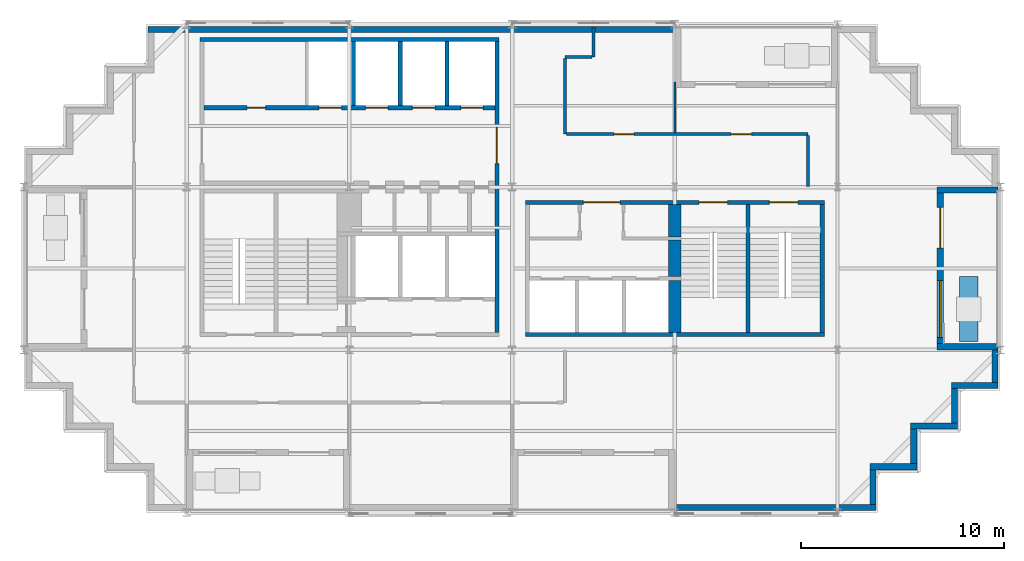
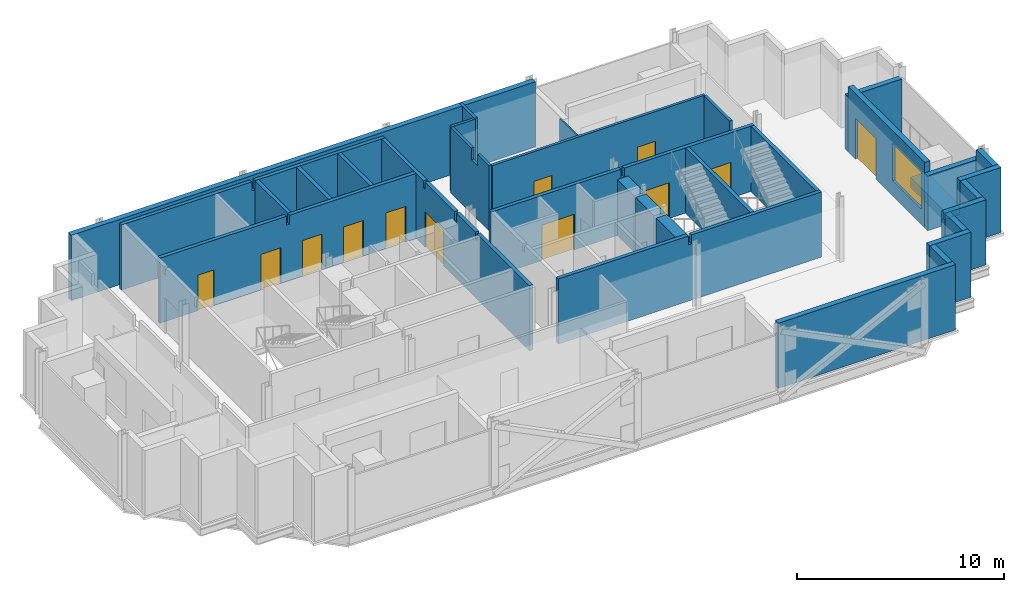
# One storey, part 6 of 9: 32 walls, 12 doors, 1 window, 13 openings.
"""IFC4 building model written with IfcOpenShell, lengths in metres."""

from ifc_helpers import new_model, si_unit, direction, frame, frame_2d, origin, place, context, subcontext, project, spatial, polyline, rectangle, outline, extrude, material, layer, layer_set, type_object, element, fill, save


model = new_model("IFC4")

# Units and contexts
model_context = context("Model", 3, precision=1e-05, world=origin(), true_north=direction((0.0, 1.0)))
body_context = subcontext(model_context, "Body", "Model", "MODEL_VIEW")
ifc_project = project(units=[si_unit("LENGTHUNIT", "METRE"), si_unit("AREAUNIT", "SQUARE_METRE"), si_unit("VOLUMEUNIT", "CUBIC_METRE"), si_unit("PLANEANGLEUNIT", "RADIAN"), si_unit("MASSUNIT", "GRAM", prefix="KILO")], contexts=[model_context])

# Site, building, storey
site_placement = place(None, origin())
site = spatial("IfcSite", under=ifc_project, at=site_placement, CompositionType="ELEMENT")
building_placement = place(site_placement, origin())
building = spatial("IfcBuilding", under=site, at=building_placement, Name="Immortelle Media Tower", CompositionType="ELEMENT")
storey_placement = place(building_placement, frame((0.0, 0.0, 271.0)))
storey = spatial("IfcBuildingStorey", under=building, at=storey_placement, Name="L59", CompositionType="ELEMENT", Elevation=271.0)

# Wall
ifc_material_1 = material(Name="Fire-rated gypsum board", Category="gypsum")
ifc_layer_1 = layer(ifc_material_1, 0.03759765625)
ifc_material_2 = material(Name="Steel ASTM A653 SS Gr 50 stud frame with mineral wool", Category="steel")
ifc_layer_2 = layer(ifc_material_2, 0.125)
ifc_layer_3 = layer(ifc_material_1, 0.03759765625)
ifc_layer_set_1 = layer_set([ifc_layer_1, ifc_layer_2, ifc_layer_3], Name="Steel ASTM A653 SS Gr 50 stud frame with mineral wool")
wall_type_1 = type_object("IfcWallType", Name="Core shaft wall 200", PredefinedType="PARTITIONING", material=ifc_layer_set_1)
wall_1_placement = place(storey_placement, frame((8.64990234375, 23.25, 0.0), z_axis=(0.0, 0.0, 1.0), x_axis=(1.0, 0.0, 0.0)))
element("IfcWall", 1, at=wall_1_placement, inside=storey, type_object=wall_type_1, Name="Core shaft wall SW", PredefinedType="PARTITIONING", context=body_context, shape_type="SweptSolid", body=[
    extrude(outline(polyline([(0.0, 0.0), (14.7001953125, 0.0), (14.699951171875, 3.85009765625), (7.4375, 3.85009765625), (7.4365234375, 3.318115234375), (7.263427734375, 3.318115234375), (7.262451171875, 3.85009765625), (0.0, 3.85009765625), (0.0, 0.0)])), frame((0.0, 0.10009765625, 0.0), z_axis=(0.0, -1.0, 0.0), x_axis=(1.0, 0.0, 0.0)), (0.0, 0.0, 1.0), 0.199951171875),
])

# Wall, openings, doors
wall_2_placement = place(storey_placement, frame((8.85009765625, 19.89990234375, 0.0), z_axis=(0.0, 0.0, 1.0), x_axis=(1.0, 0.0, 0.0)))
wall_2 = element("IfcWall", 2, at=wall_2_placement, inside=storey, type_object=wall_type_1, Name="Core shaft wall SW", PredefinedType="PARTITIONING", context=body_context, shape_type="SweptSolid", body=[
    extrude(outline(polyline([(0.0, 0.0), (14.2998046875, 0.0), (14.300048828125, 3.85009765625), (7.237548828125, 3.85009765625), (7.236572265625, 3.318115234375), (7.0634765625, 3.318115234375), (7.0625, 3.85009765625), (0.0, 3.85009765625), (0.0, 0.0)])), frame((0.0, 0.10009765625, 0.0), z_axis=(0.0, -1.0, 0.0), x_axis=(1.0, 0.0, 0.0)), (0.0, 0.0, 1.0), 0.199951171875),
])
opening_1_placement = place(wall_2_placement, frame((2.125, 0.0, 0.0)))
opening_1 = element("IfcOpeningElement", 3, at=opening_1_placement, cuts=wall_2, Name="Opening X3-K003", PredefinedType="OPENING", context=body_context, shape_type="SweptSolid", body=[
    extrude(rectangle(XDim=0.89990234375, YDim=2.10009765625, at=frame_2d((0.449951171875, 1.050048828125))), frame((0.0, 0.10986328125, 0.0), z_axis=(0.0, -1.0, 0.0), x_axis=(1.0, 0.0, 0.0)), (0.0, 0.0, 1.0), 0.219970703125),
])
opening_2_placement = place(wall_2_placement, frame((5.64990234375, 0.0, 0.0)))
opening_2 = element("IfcOpeningElement", 4, at=opening_2_placement, cuts=wall_2, Name="Opening LD", PredefinedType="OPENING", context=body_context, shape_type="SweptSolid", body=[
    extrude(rectangle(XDim=1.10009765625, YDim=2.10009765625, at=frame_2d((0.550048828125, 1.050048828125))), frame((0.0, 0.10986328125, 0.0), z_axis=(0.0, -1.0, 0.0), x_axis=(1.0, 0.0, 0.0)), (0.0, 0.0, 1.0), 0.219970703125),
])
opening_3_placement = place(wall_2_placement, frame((7.949951171875, 0.0, 0.0)))
opening_3 = element("IfcOpeningElement", 5, at=opening_3_placement, cuts=wall_2, Name="Opening LD", PredefinedType="OPENING", context=body_context, shape_type="SweptSolid", body=[
    extrude(rectangle(XDim=1.10009765625, YDim=2.10009765625, at=frame_2d((0.550048828125, 1.050048828125))), frame((0.0, 0.10986328125, 0.0), z_axis=(0.0, -1.0, 0.0), x_axis=(1.0, 0.0, 0.0)), (0.0, 0.0, 1.0), 0.219970703125),
])
opening_4_placement = place(wall_2_placement, frame((10.25, 0.0, 0.0)))
opening_4 = element("IfcOpeningElement", 6, at=opening_4_placement, cuts=wall_2, Name="Opening LD", PredefinedType="OPENING", context=body_context, shape_type="SweptSolid", body=[
    extrude(rectangle(XDim=1.10009765625, YDim=2.10009765625, at=frame_2d((0.550048828125, 1.050048828125))), frame((0.0, 0.10986328125, 0.0), z_axis=(0.0, -1.0, 0.0), x_axis=(1.0, 0.0, 0.0)), (0.0, 0.0, 1.0), 0.219970703125),
])
opening_5_placement = place(wall_2_placement, frame((12.625, 0.0, 0.0)))
opening_5 = element("IfcOpeningElement", 7, at=opening_5_placement, cuts=wall_2, Name="Opening LD", PredefinedType="OPENING", context=body_context, shape_type="SweptSolid", body=[
    extrude(rectangle(XDim=1.10009765625, YDim=2.10009765625, at=frame_2d((0.550048828125, 1.050048828125))), frame((0.0, 0.10986328125, 0.0), z_axis=(0.0, -1.0, 0.0), x_axis=(1.0, 0.0, 0.0)), (0.0, 0.0, 1.0), 0.219970703125),
])
ifc_material_3 = material(Name="Stainless steel AISI 304", Category="steel")
door_type_1 = type_object("IfcDoorType", Name="Landing door 1100 x 2100", OperationType="SLIDING_TO_LEFT", PredefinedType="NOTDEFINED", material=ifc_material_3)
door_1_placement = place(opening_2_placement, origin())
door_1 = element("IfcDoor", 8, at=door_1_placement, inside=storey, type_object=door_type_1, Name="Landing door HR1 L59", OperationType="SLIDING_TO_LEFT", OverallHeight=2.10009765625, OverallWidth=1.10009765625, PredefinedType="NOTDEFINED", context=body_context, shape_type="SweptSolid", body=[
    extrude(rectangle(XDim=1.10009765625, YDim=2.10009765625, at=frame_2d((0.550048828125, 1.050048828125))), frame((0.0, 0.02490234375, 0.0), z_axis=(0.0, -1.0, 0.0), x_axis=(1.0, 0.0, 0.0)), (0.0, 0.0, 1.0), 0.050048828125),
])
fill(opening_2, door_1)
door_2_placement = place(opening_3_placement, origin())
door_2 = element("IfcDoor", 9, at=door_2_placement, inside=storey, type_object=door_type_1, Name="Landing door HR2 L59", OperationType="SLIDING_TO_LEFT", OverallHeight=2.10009765625, OverallWidth=1.10009765625, PredefinedType="NOTDEFINED", context=body_context, shape_type="SweptSolid", body=[
    extrude(rectangle(XDim=1.10009765625, YDim=2.10009765625, at=frame_2d((0.550048828125, 1.050048828125))), frame((0.0, 0.02490234375, 0.0), z_axis=(0.0, -1.0, 0.0), x_axis=(1.0, 0.0, 0.0)), (0.0, 0.0, 1.0), 0.050048828125),
])
fill(opening_3, door_2)
door_3_placement = place(opening_4_placement, origin())
door_3 = element("IfcDoor", 10, at=door_3_placement, inside=storey, type_object=door_type_1, Name="Landing door HR3 L59", OperationType="SLIDING_TO_LEFT", OverallHeight=2.10009765625, OverallWidth=1.10009765625, PredefinedType="NOTDEFINED", context=body_context, shape_type="SweptSolid", body=[
    extrude(rectangle(XDim=1.10009765625, YDim=2.10009765625, at=frame_2d((0.550048828125, 1.050048828125))), frame((0.0, 0.02490234375, 0.0), z_axis=(0.0, -1.0, 0.0), x_axis=(1.0, 0.0, 0.0)), (0.0, 0.0, 1.0), 0.050048828125),
])
fill(opening_4, door_3)
door_4_placement = place(opening_5_placement, origin())
door_4 = element("IfcDoor", 11, at=door_4_placement, inside=storey, type_object=door_type_1, Name="Landing door HR4 L59", OperationType="SLIDING_TO_LEFT", OverallHeight=2.10009765625, OverallWidth=1.10009765625, PredefinedType="NOTDEFINED", context=body_context, shape_type="SweptSolid", body=[
    extrude(rectangle(XDim=1.10009765625, YDim=2.10009765625, at=frame_2d((0.550048828125, 1.050048828125))), frame((0.0, 0.02490234375, 0.0), z_axis=(0.0, -1.0, 0.0), x_axis=(1.0, 0.0, 0.0)), (0.0, 0.0, 1.0), 0.050048828125),
])
fill(opening_5, door_4)
ifc_material_4 = material(Name="Timber", Category="wood")
door_type_2 = type_object("IfcDoorType", Name="Room door 900 x 2100", OperationType="NOTDEFINED", PredefinedType="NOTDEFINED", material=ifc_material_4)
door_5_placement = place(opening_1_placement, origin())
door_5 = element("IfcDoor", 12, at=door_5_placement, inside=storey, type_object=door_type_2, Name="Room X3-K003", OperationType="SINGLE_SWING_RIGHT", OverallHeight=2.10009765625, OverallWidth=0.89990234375, PredefinedType="NOTDEFINED", context=body_context, shape_type="SweptSolid", body=[
    extrude(rectangle(XDim=0.89990234375, YDim=2.10009765625, at=frame_2d((0.449951171875, 1.050048828125))), frame((0.0, 0.02490234375, 0.0), z_axis=(0.0, -1.0, 0.0), x_axis=(1.0, 0.0, 0.0)), (0.0, 0.0, 1.0), 0.050048828125),
])
fill(opening_1, door_5)

# Walls
for number, where, z_axis, x_axis, name in (
    (13, (16.199951171875, 20.0, 0.0), (0.0, 0.0, 1.0), (0.0, 1.0, 0.0), "Core shaft wall SW"),
    (14, (18.5, 20.0, 0.0), (0.0, 0.0, 1.0), (0.0, 1.0, 0.0), "Core shaft wall SW"),
    (15, (20.800048828125, 20.0, 0.0), (0.0, 0.0, 1.0), (0.0, 1.0, 0.0), "Core shaft wall SW"),
):
    element("IfcWall", number, at=place(storey_placement, frame(where, z_axis=z_axis, x_axis=x_axis)), inside=storey, type_object=wall_type_1, Name=name, PredefinedType="PARTITIONING", context=body_context, shape_type="SweptSolid", body=[
        extrude(rectangle(XDim=3.14990234375, YDim=0.199951171875, at=frame_2d((1.574951171875, 0.0))), origin(), (0.0, 0.0, 1.0), 3.85009765625),
    ])

# Wall, opening, door
wall_3_placement = place(storey_placement, frame((23.25, 8.85009765625, 0.0), z_axis=(0.0, 0.0, 1.0), x_axis=(0.0, 1.0, 0.0)))
wall_3 = element("IfcWall", 16, at=wall_3_placement, inside=storey, type_object=wall_type_1, Name="Core shaft wall SW", PredefinedType="PARTITIONING", context=body_context, shape_type="SweptSolid", body=[
    extrude(outline(polyline([(0.0, 0.0), (14.2998046875, 0.0), (14.300048828125, 3.85009765625), (10.22509765625, 3.85009765625), (10.22412109375, 3.43994140625), (10.075927734375, 3.43994140625), (10.074951171875, 3.85009765625), (7.237548828125, 3.85009765625), (7.236572265625, 3.318115234375), (7.0634765625, 3.318115234375), (7.0625, 3.85009765625), (5.22509765625, 3.85009765625), (5.22412109375, 3.43994140625), (5.075927734375, 3.43994140625), (5.074951171875, 3.85009765625), (0.0, 3.85009765625), (0.0, 0.0)])), frame((0.0, 0.10009765625, 0.0), z_axis=(0.0, -1.0, 0.0), x_axis=(1.0, 0.0, 0.0)), (0.0, 0.0, 1.0), 0.199951171875),
])
opening_6_placement = place(wall_3_placement, frame((8.300048828125, 0.0, 0.0)))
opening_6 = element("IfcOpeningElement", 17, at=opening_6_placement, cuts=wall_3, Name="Opening X3-K019", PredefinedType="OPENING", context=body_context, shape_type="SweptSolid", body=[
    extrude(rectangle(XDim=1.800048828125, YDim=2.10009765625, at=frame_2d((0.89990234375, 1.050048828125))), frame((0.0, 0.10986328125, 0.0), z_axis=(0.0, -1.0, 0.0), x_axis=(1.0, 0.0, 0.0)), (0.0, 0.0, 1.0), 0.219970703125),
])
ifc_material_5 = material(Name="Galvanised steel door leaf and frame ASTM A653", Category="steel")
door_type_3 = type_object("IfcDoorType", Name="Lift lobby door 1800 x 2100", OperationType="DOUBLE_DOOR_SINGLE_SWING", PredefinedType="NOTDEFINED", material=ifc_material_5)
door_6_placement = place(opening_6_placement, origin())
door_6 = element("IfcDoor", 18, at=door_6_placement, inside=storey, type_object=door_type_3, Name="Lift lobby X3-K019", OperationType="DOUBLE_DOOR_SINGLE_SWING", OverallHeight=2.10009765625, OverallWidth=1.800048828125, PredefinedType="NOTDEFINED", context=body_context, shape_type="SweptSolid", body=[
    extrude(rectangle(XDim=1.800048828125, YDim=2.10009765625, at=frame_2d((0.89990234375, 1.050048828125))), frame((0.0, 0.02490234375, 0.0), z_axis=(0.0, -1.0, 0.0), x_axis=(1.0, 0.0, 0.0)), (0.0, 0.0, 1.0), 0.050048828125),
])
fill(opening_6, door_6)

# Wall
ifc_layer_4 = layer(ifc_material_1, 0.012451171875)
ifc_layer_5 = layer(ifc_material_2, 0.125)
ifc_layer_6 = layer(ifc_material_1, 0.012451171875)
ifc_layer_set_2 = layer_set([ifc_layer_4, ifc_layer_5, ifc_layer_6], Name="Steel ASTM A653 SS Gr 50 stud frame with mineral wool")
wall_type_2 = type_object("IfcWallType", Name="Corridor wall 150", PredefinedType="PARTITIONING", material=ifc_layer_set_2)
wall_4_placement = place(storey_placement, frame((38.550048828125, 16.030029296875, 0.0), z_axis=(0.0, 0.0, 1.0), x_axis=(0.0, 1.0, 0.0)))
element("IfcWall", 19, at=wall_4_placement, inside=storey, type_object=wall_type_2, Name="Partition L59-009", PredefinedType="PARTITIONING", context=body_context, shape_type="SweptSolid", body=[
    extrude(rectangle(XDim=2.494873046875, YDim=0.14990234375, at=frame_2d((1.24755859375, 0.0))), origin(), (0.0, 0.0, 1.0), 3.85009765625),
])

# Wall, openings, doors
wall_5_placement = place(storey_placement, frame((26.675048828125, 18.60009765625, 0.0), z_axis=(0.0, 0.0, 1.0), x_axis=(1.0, 0.0, 0.0)))
wall_5 = element("IfcWall", 20, at=wall_5_placement, inside=storey, type_object=wall_type_2, Name="Partition L59-011", PredefinedType="PARTITIONING", context=body_context, shape_type="SweptSolid", body=[
    extrude(rectangle(XDim=11.875, YDim=0.14990234375, at=frame_2d((5.9375, 0.0))), origin(), (0.0, 0.0, 1.0), 3.85009765625),
])
opening_7_placement = place(wall_5_placement, frame((8.10009765625, 0.0, 0.0)))
opening_7 = element("IfcOpeningElement", 21, at=opening_7_placement, cuts=wall_5, Name="Opening X3-F007", PredefinedType="OPENING", context=body_context, shape_type="SweptSolid", body=[
    extrude(rectangle(XDim=1.0, YDim=2.10009765625, at=frame_2d((0.5, 1.050048828125))), frame((0.0, 0.0849609375, 0.0), z_axis=(0.0, -1.0, 0.0), x_axis=(1.0, 0.0, 0.0)), (0.0, 0.0, 1.0), 0.169921875),
])
opening_8_placement = place(wall_5_placement, frame((2.324951171875, 0.0, 0.0)))
opening_8 = element("IfcOpeningElement", 22, at=opening_8_placement, cuts=wall_5, Name="Opening X3-F008", PredefinedType="OPENING", context=body_context, shape_type="SweptSolid", body=[
    extrude(rectangle(XDim=1.0, YDim=2.10009765625, at=frame_2d((0.5, 1.050048828125))), frame((0.0, 0.0849609375, 0.0), z_axis=(0.0, -1.0, 0.0), x_axis=(1.0, 0.0, 0.0)), (0.0, 0.0, 1.0), 0.169921875),
])
ifc_material_6 = material(Name="Timber veneered door leaf, galvanised steel frame ASTM A653", Category="steel")
door_type_4 = type_object("IfcDoorType", Name="Room door 1000 x 2100", OperationType="NOTDEFINED", PredefinedType="DOOR", material=ifc_material_6)
door_7_placement = place(opening_7_placement, origin())
door_7 = element("IfcDoor", 23, at=door_7_placement, inside=storey, type_object=door_type_4, Name="Door X3-F007", OperationType="SINGLE_SWING_LEFT", OverallHeight=2.10009765625, OverallWidth=1.0, PredefinedType="DOOR", context=body_context, shape_type="SweptSolid", body=[
    extrude(rectangle(XDim=1.0, YDim=2.10009765625, at=frame_2d((0.5, 1.050048828125))), frame((0.0, 0.02490234375, 0.0), z_axis=(0.0, -1.0, 0.0), x_axis=(1.0, 0.0, 0.0)), (0.0, 0.0, 1.0), 0.050048828125),
])
fill(opening_7, door_7)
door_8_placement = place(opening_8_placement, origin())
door_8 = element("IfcDoor", 24, at=door_8_placement, inside=storey, type_object=door_type_4, Name="Door X3-F008", OperationType="SINGLE_SWING_RIGHT", OverallHeight=2.10009765625, OverallWidth=1.0, PredefinedType="DOOR", context=body_context, shape_type="SweptSolid", body=[
    extrude(rectangle(XDim=1.0, YDim=2.10009765625, at=frame_2d((0.5, 1.050048828125))), frame((0.0, 0.02490234375, 0.0), z_axis=(0.0, -1.0, 0.0), x_axis=(1.0, 0.0, 0.0)), (0.0, 0.0, 1.0), 0.050048828125),
])
fill(opening_8, door_8)

# Walls
wall_6_placement = place(storey_placement, frame((26.60009765625, 18.60009765625, 0.0), z_axis=(0.0, 0.0, 1.0), x_axis=(0.0, 1.0, 0.0)))
element("IfcWall", 25, at=wall_6_placement, inside=storey, type_object=wall_type_2, Name="Partition L59-012", PredefinedType="PARTITIONING", context=body_context, shape_type="SweptSolid", body=[
    extrude(outline(polyline([(0.0, 0.0), (3.724853515625, 0.0), (3.72509765625, 3.85009765625), (1.699951171875, 3.85009765625), (1.697998046875, 3.172119140625), (1.10205078125, 3.172119140625), (1.10009765625, 3.85009765625), (0.0, 3.85009765625), (0.0, 0.0)])), frame((0.0, 0.074951171875, 0.0), z_axis=(0.0, -1.0, 0.0), x_axis=(1.0, 0.0, 0.0)), (0.0, 0.0, 1.0), 0.14990234375),
])
wall_7_placement = place(storey_placement, frame((26.60009765625, 22.39990234375, 0.0), z_axis=(0.0, 0.0, 1.0), x_axis=(1.0, 0.0, 0.0)))
element("IfcWall", 26, at=wall_7_placement, inside=storey, type_object=wall_type_2, Name="Partition L59-014", PredefinedType="PARTITIONING", context=body_context, shape_type="SweptSolid", body=[
    extrude(rectangle(XDim=1.324951171875, YDim=0.14990234375, at=frame_2d((0.66259765625, 0.0))), origin(), (0.0, 0.0, 1.0), 3.85009765625),
])
wall_8_placement = place(storey_placement, frame((28.0, 22.39990234375, 0.0), z_axis=(0.0, 0.0, 1.0), x_axis=(0.0, 1.0, 0.0)))
element("IfcWall", 27, at=wall_8_placement, inside=storey, type_object=wall_type_2, Name="Partition L59-015", PredefinedType="PARTITIONING", context=body_context, shape_type="SweptSolid", body=[
    extrude(rectangle(XDim=1.47021484375, YDim=0.14990234375, at=frame_2d((0.735107421875, 0.0))), origin(), (0.0, 0.0, 1.0), 3.85009765625),
])
ifc_material_7 = material(Name="Pale aluminium cladding panel", Category="aluminium")
ifc_layer_7 = layer(ifc_material_7, 0.030029296875)
ifc_layer_8 = layer(ifc_material_2, 0.257568359375)
ifc_material_8 = material(Name="Moisture-resistant gypsum board", Category="gypsum")
ifc_layer_9 = layer(ifc_material_8, 0.012451171875)
ifc_layer_set_3 = layer_set([ifc_layer_7, ifc_layer_8, ifc_layer_9], Name="Steel ASTM A653 SS Gr 50 stud frame with mineral wool")
wall_type_3 = type_object("IfcWallType", Name="Facade wall 300", PredefinedType="SOLIDWALL", material=ifc_layer_set_3)
wall_9_placement = place(storey_placement, frame((32.0, 0.25, 0.0), z_axis=(0.0, 0.0, 1.0), x_axis=(1.0, 0.0, 0.0)))
element("IfcWall", 28, at=wall_9_placement, inside=storey, type_object=wall_type_3, Name="Facade wall L59 S6", PredefinedType="SOLIDWALL", context=body_context, shape_type="SweptSolid", body=[
    extrude(rectangle(XDim=9.89990234375, YDim=0.300048828125, at=frame_2d((4.949951171875, 0.0))), origin(), (0.0, 0.0, 1.0), 3.85009765625),
])
wall_10_placement = place(storey_placement, frame((41.75, 0.39990234375, 0.0), z_axis=(0.0, 0.0, 1.0), x_axis=(0.0, 1.0, 0.0)))
element("IfcWall", 29, at=wall_10_placement, inside=storey, type_object=wall_type_3, Name="Facade wall L59 E7", PredefinedType="SOLIDWALL", context=body_context, shape_type="SweptSolid", body=[
    extrude(rectangle(XDim=1.7001953125, YDim=0.300048828125, at=frame_2d((0.85009765625, 0.0))), origin(), (0.0, 0.0, 1.0), 3.85009765625),
])
wall_11_placement = place(storey_placement, frame((41.60009765625, 2.25, 0.0), z_axis=(0.0, 0.0, 1.0), x_axis=(1.0, 0.0, 0.0)))
element("IfcWall", 30, at=wall_11_placement, inside=storey, type_object=wall_type_3, Name="Facade wall L59 S8", PredefinedType="SOLIDWALL", context=body_context, shape_type="SweptSolid", body=[
    extrude(rectangle(XDim=2.2998046875, YDim=0.300048828125, at=frame_2d((1.14990234375, 0.0))), origin(), (0.0, 0.0, 1.0), 3.85009765625),
])
wall_12_placement = place(storey_placement, frame((43.75, 2.39990234375, 0.0), z_axis=(0.0, 0.0, 1.0), x_axis=(0.0, 1.0, 0.0)))
element("IfcWall", 31, at=wall_12_placement, inside=storey, type_object=wall_type_3, Name="Facade wall L59 E9", PredefinedType="SOLIDWALL", context=body_context, shape_type="SweptSolid", body=[
    extrude(rectangle(XDim=1.7001953125, YDim=0.300048828125, at=frame_2d((0.85009765625, 0.0))), origin(), (0.0, 0.0, 1.0), 3.85009765625),
])
wall_13_placement = place(storey_placement, frame((43.60009765625, 4.25, 0.0), z_axis=(0.0, 0.0, 1.0), x_axis=(1.0, 0.0, 0.0)))
element("IfcWall", 32, at=wall_13_placement, inside=storey, type_object=wall_type_3, Name="Facade wall L59 S10", PredefinedType="SOLIDWALL", context=body_context, shape_type="SweptSolid", body=[
    extrude(rectangle(XDim=2.2998046875, YDim=0.300048828125, at=frame_2d((1.14990234375, 0.0))), origin(), (0.0, 0.0, 1.0), 3.85009765625),
])
wall_14_placement = place(storey_placement, frame((45.75, 4.39990234375, 0.0), z_axis=(0.0, 0.0, 1.0), x_axis=(0.0, 1.0, 0.0)))
element("IfcWall", 33, at=wall_14_placement, inside=storey, type_object=wall_type_3, Name="Facade wall L59 E11", PredefinedType="SOLIDWALL", context=body_context, shape_type="SweptSolid", body=[
    extrude(rectangle(XDim=1.7001953125, YDim=0.300048828125, at=frame_2d((0.85009765625, 0.0))), origin(), (0.0, 0.0, 1.0), 3.85009765625),
])
wall_15_placement = place(storey_placement, frame((45.60009765625, 6.25, 0.0), z_axis=(0.0, 0.0, 1.0), x_axis=(1.0, 0.0, 0.0)))
element("IfcWall", 34, at=wall_15_placement, inside=storey, type_object=wall_type_3, Name="Facade wall L59 S12", PredefinedType="SOLIDWALL", context=body_context, shape_type="SweptSolid", body=[
    extrude(rectangle(XDim=2.2998046875, YDim=0.300048828125, at=frame_2d((1.14990234375, 0.0))), origin(), (0.0, 0.0, 1.0), 3.85009765625),
])
wall_16_placement = place(storey_placement, frame((47.75, 6.39990234375, 0.0), z_axis=(0.0, 0.0, 1.0), x_axis=(0.0, 1.0, 0.0)))
element("IfcWall", 35, at=wall_16_placement, inside=storey, type_object=wall_type_3, Name="Facade wall L59 E13", PredefinedType="SOLIDWALL", context=body_context, shape_type="SweptSolid", body=[
    extrude(rectangle(XDim=1.60009765625, YDim=0.300048828125, at=frame_2d((0.800048828125, 0.0))), origin(), (0.0, 0.0, 1.0), 3.85009765625),
])

# Wall, openings, door, window
wall_17_placement = place(storey_placement, frame((45.050048828125, 8.300048828125, 0.0), z_axis=(0.0, 0.0, 1.0), x_axis=(0.0, 1.0, 0.0)))
wall_17 = element("IfcWall", 36, at=wall_17_placement, inside=storey, type_object=wall_type_3, Name="Loggia wall L59 E13", PredefinedType="SOLIDWALL", context=body_context, shape_type="SweptSolid", body=[
    extrude(rectangle(XDim=7.39990234375, YDim=0.300048828125, at=frame_2d((3.699951171875, 0.0))), origin(), (0.0, 0.0, 1.0), 3.85009765625),
])
opening_9_placement = place(wall_17_placement, frame((0.300048828125, 0.0, 0.89990234375)))
opening_9 = element("IfcOpeningElement", 37, at=opening_9_placement, cuts=wall_17, Name="Opening W1", PredefinedType="OPENING", context=body_context, shape_type="SweptSolid", body=[
    extrude(rectangle(XDim=2.800048828125, YDim=2.199951171875, at=frame_2d((1.39990234375, 1.10009765625))), frame((0.0, 0.159912109375, 0.0), z_axis=(0.0, -1.0, 0.0), x_axis=(1.0, 0.0, 0.0)), (0.0, 0.0, 1.0), 0.320068359375),
])
opening_10_placement = place(wall_17_placement, frame((4.699951171875, 0.0, 0.0)))
opening_10 = element("IfcOpeningElement", 38, at=opening_10_placement, cuts=wall_17, Name="Opening X3-E003", PredefinedType="OPENING", context=body_context, shape_type="SweptSolid", body=[
    extrude(rectangle(XDim=2.0, YDim=2.39990234375, at=frame_2d((1.0, 1.199951171875))), frame((0.0, 0.159912109375, 0.0), z_axis=(0.0, -1.0, 0.0), x_axis=(1.0, 0.0, 0.0)), (0.0, 0.0, 1.0), 0.320068359375),
])
ifc_material_9 = material(Name="Aluminium frame, glazed leaves", Category="aluminium")
door_type_5 = type_object("IfcDoorType", Name="Loggia door 2000 x 2400", OperationType="DOUBLE_DOOR_SINGLE_SWING", PredefinedType="DOOR", material=ifc_material_9)
door_9_placement = place(opening_10_placement, origin())
door_9 = element("IfcDoor", 39, at=door_9_placement, inside=storey, type_object=door_type_5, Name="Door X3-E003", OperationType="DOUBLE_DOOR_SINGLE_SWING", OverallHeight=2.39990234375, OverallWidth=2.0, PredefinedType="DOOR", context=body_context, shape_type="SweptSolid", body=[
    extrude(rectangle(XDim=2.0, YDim=2.39990234375, at=frame_2d((1.0, 1.199951171875))), frame((0.0, 0.02490234375, 0.0), z_axis=(0.0, -1.0, 0.0), x_axis=(1.0, 0.0, 0.0)), (0.0, 0.0, 1.0), 0.050048828125),
])
fill(opening_10, door_9)
ifc_material_10 = material(Name="Aluminium frame", Category="aluminium")
window_type = type_object("IfcWindowType", Name="Window 2800 x 2200", PartitioningType="SINGLE_PANEL", PredefinedType="WINDOW", material=ifc_material_10)
window_placement = place(opening_9_placement, origin())
window = element("IfcWindow", 40, at=window_placement, inside=storey, type_object=window_type, Name="Window L59 L59-R13-B0", OverallHeight=2.199951171875, OverallWidth=2.800048828125, PartitioningType="SINGLE_PANEL", PredefinedType="WINDOW", context=body_context, shape_type="SweptSolid", body=[
    extrude(rectangle(XDim=2.800048828125, YDim=2.199951171875, at=frame_2d((1.39990234375, 1.10009765625))), frame((0.0, 0.030029296875, 0.0), z_axis=(0.0, -1.0, 0.0), x_axis=(1.0, 0.0, 0.0)), (0.0, 0.0, 1.0), 0.06005859375),
])
fill(opening_9, window)

# Walls
for number, where, z_axis, x_axis, name in (
    (41, (47.89990234375, 8.14990234375, 0.0), (0.0, 0.0, 1.0), (-1.0, 0.0, 0.0), "Loggia cheek wall L59 E"),
    (42, (47.89990234375, 15.85009765625, 0.0), (0.0, 0.0, 1.0), (-1.0, 0.0, 0.0), "Loggia cheek wall L59 E"),
):
    element("IfcWall", number, at=place(storey_placement, frame(where, z_axis=z_axis, x_axis=x_axis)), inside=storey, type_object=wall_type_3, Name=name, PredefinedType="SOLIDWALL", context=body_context, shape_type="SweptSolid", body=[
        extrude(rectangle(XDim=3.0, YDim=0.300048828125, at=frame_2d((1.5, 0.0))), origin(), (0.0, 0.0, 1.0), 3.237060546875),
    ])
wall_18_placement = place(storey_placement, frame((32.0, 23.75, 0.0), z_axis=(0.0, 0.0, 1.0), x_axis=(-1.0, 0.0, 0.0)))
element("IfcWall", 43, at=wall_18_placement, inside=storey, type_object=wall_type_3, Name="Facade wall L59 N20", PredefinedType="SOLIDWALL", context=body_context, shape_type="SweptSolid", body=[
    extrude(rectangle(XDim=25.89990234375, YDim=0.300048828125, at=frame_2d((12.949951171875, 0.0))), origin(), (0.0, 0.0, 1.0), 3.85009765625),
])
ifc_material_11 = material(Name="Gypsum board", Category="gypsum")
ifc_layer_10 = layer(ifc_material_11, 0.012451171875)
ifc_layer_11 = layer(ifc_material_2, 0.074951171875)
ifc_layer_12 = layer(ifc_material_11, 0.012451171875)
ifc_layer_set_4 = layer_set([ifc_layer_10, ifc_layer_11, ifc_layer_12], Name="Steel ASTM A653 SS Gr 50 stud frame with mineral wool")
wall_type_4 = type_object("IfcWallType", Name="Partition 100", PredefinedType="PARTITIONING", material=ifc_layer_set_4)
wall_19_placement = place(storey_placement, frame((32.0, 18.675048828125, 0.0), z_axis=(0.0, 0.0, 1.0), x_axis=(0.0, 1.0, 0.0)))
element("IfcWall", 44, at=wall_19_placement, inside=storey, type_object=wall_type_4, Name="Partition L59-013", PredefinedType="PARTITIONING", context=body_context, shape_type="SweptSolid", body=[
    extrude(rectangle(XDim=2.494873046875, YDim=0.10009765625, at=frame_2d((1.24755859375, 0.0))), origin(), (0.0, 0.0, 1.0), 3.172119140625),
])
ifc_layer_13 = layer(ifc_material_7, 0.0029296875)
ifc_material_12 = material(Name="Steel ASTM A572 Gr 50 planter shell", Category="steel")
ifc_layer_14 = layer(ifc_material_12, 0.011962890625)
ifc_material_13 = material(Name="Planting substrate", Category="soil")
ifc_layer_15 = layer(ifc_material_13, 0.873046875)
ifc_layer_16 = layer(ifc_material_12, 0.011962890625)
ifc_layer_set_5 = layer_set([ifc_layer_13, ifc_layer_14, ifc_layer_15, ifc_layer_16], Name="Steel ASTM A572 Gr 50 planter shell")
wall_type_5 = type_object("IfcWallType", Name="Planter wall 900", PredefinedType="SOLIDWALL", material=ifc_layer_set_5)
wall_20_placement = place(storey_placement, frame((46.449951171875, 8.39990234375, 0.0), z_axis=(0.0, 0.0, 1.0), x_axis=(0.0, 1.0, 0.0)))
element("IfcWall", 45, at=wall_20_placement, inside=storey, type_object=wall_type_5, Name="Planter L59 E0", PredefinedType="SOLIDWALL", context=body_context, shape_type="SweptSolid", body=[
    extrude(rectangle(XDim=3.2001953125, YDim=0.89990234375, at=frame_2d((1.60009765625, 0.0))), origin(), (0.0, 0.0, 1.0), 0.60009765625),
])
ifc_material_14 = material(Name="Concrete C60", Category="concrete")
ifc_layer_17 = layer(ifc_material_14, 0.199951171875)
ifc_layer_set_6 = layer_set([ifc_layer_17], Name="Concrete C60")
wall_type_6 = type_object("IfcWallType", Name="Stair shaft wall 200", PredefinedType="PARTITIONING", material=ifc_layer_set_6)
wall_21_placement = place(storey_placement, frame((24.64990234375, 8.75, 0.0), z_axis=(0.0, 0.0, 1.0), x_axis=(1.0, 0.0, 0.0)))
element("IfcWall", 46, at=wall_21_placement, inside=storey, type_object=wall_type_6, Name="Stair shaft wall SE", PredefinedType="PARTITIONING", context=body_context, shape_type="SweptSolid", body=[
    extrude(outline(polyline([(0.0, 0.0), (14.7001953125, 0.0), (14.699951171875, 3.85009765625), (7.4375, 3.85009765625), (7.4365234375, 3.318115234375), (7.263427734375, 3.318115234375), (7.262451171875, 3.85009765625), (0.0, 3.85009765625), (0.0, 0.0)])), frame((0.0, 0.10009765625, 0.0), z_axis=(0.0, -1.0, 0.0), x_axis=(1.0, 0.0, 0.0)), (0.0, 0.0, 1.0), 0.199951171875),
])

# Wall, openings, doors
wall_22_placement = place(storey_placement, frame((24.64990234375, 15.25, 0.0), z_axis=(0.0, 0.0, 1.0), x_axis=(1.0, 0.0, 0.0)))
wall_22 = element("IfcWall", 47, at=wall_22_placement, inside=storey, type_object=wall_type_6, Name="Stair shaft wall SE", PredefinedType="PARTITIONING", context=body_context, shape_type="SweptSolid", body=[
    extrude(outline(polyline([(0.0, 0.0), (14.7001953125, 0.0), (14.699951171875, 3.85009765625), (7.4375, 3.85009765625), (7.4365234375, 3.318115234375), (7.263427734375, 3.318115234375), (7.262451171875, 3.85009765625), (0.0, 3.85009765625), (0.0, 0.0)])), frame((0.0, 0.10009765625, 0.0), z_axis=(0.0, -1.0, 0.0), x_axis=(1.0, 0.0, 0.0)), (0.0, 0.0, 1.0), 0.199951171875),
])
opening_11_placement = place(wall_22_placement, frame((2.85009765625, 0.0, 0.0)))
opening_11 = element("IfcOpeningElement", 48, at=opening_11_placement, cuts=wall_22, Name="Opening X3-K023", PredefinedType="OPENING", context=body_context, shape_type="SweptSolid", body=[
    extrude(rectangle(XDim=1.800048828125, YDim=2.10009765625, at=frame_2d((0.89990234375, 1.050048828125))), frame((0.0, 0.10986328125, 0.0), z_axis=(0.0, -1.0, 0.0), x_axis=(1.0, 0.0, 0.0)), (0.0, 0.0, 1.0), 0.219970703125),
])
opening_12_placement = place(wall_22_placement, frame((9.949951171875, 0.0, 0.0), z_axis=(0.0, 0.0, 1.0), x_axis=(-1.0, 0.0, 0.0)))
opening_12 = element("IfcOpeningElement", 49, at=opening_12_placement, cuts=wall_22, Name="Opening X3-K025", PredefinedType="OPENING", context=body_context, shape_type="SweptSolid", body=[
    extrude(rectangle(XDim=1.39990234375, YDim=2.10009765625, at=frame_2d((0.699951171875, 1.050048828125))), frame((0.0, 0.10986328125, 0.0), z_axis=(0.0, -1.0, 0.0), x_axis=(1.0, 0.0, 0.0)), (0.0, 0.0, 1.0), 0.219970703125),
])
opening_13_placement = place(wall_22_placement, frame((13.39990234375, 0.0, 0.0), z_axis=(0.0, 0.0, 1.0), x_axis=(-1.0, 0.0, 0.0)))
opening_13 = element("IfcOpeningElement", 50, at=opening_13_placement, cuts=wall_22, Name="Opening X3-K026", PredefinedType="OPENING", context=body_context, shape_type="SweptSolid", body=[
    extrude(rectangle(XDim=1.39990234375, YDim=2.10009765625, at=frame_2d((0.699951171875, 1.050048828125))), frame((0.0, 0.10986328125, 0.0), z_axis=(0.0, -1.0, 0.0), x_axis=(1.0, 0.0, 0.0)), (0.0, 0.0, 1.0), 0.219970703125),
])
door_10_placement = place(opening_11_placement, origin())
door_10 = element("IfcDoor", 51, at=door_10_placement, inside=storey, type_object=door_type_3, Name="Lift lobby X3-K023", OperationType="DOUBLE_DOOR_SINGLE_SWING", OverallHeight=2.10009765625, OverallWidth=1.800048828125, PredefinedType="NOTDEFINED", context=body_context, shape_type="SweptSolid", body=[
    extrude(rectangle(XDim=1.800048828125, YDim=2.10009765625, at=frame_2d((0.89990234375, 1.050048828125))), frame((0.0, 0.02490234375, 0.0), z_axis=(0.0, -1.0, 0.0), x_axis=(1.0, 0.0, 0.0)), (0.0, 0.0, 1.0), 0.050048828125),
])
fill(opening_11, door_10)
door_type_6 = type_object("IfcDoorType", Name="Stair door 1400 x 2100", OperationType="DOUBLE_DOOR_SINGLE_SWING", PredefinedType="NOTDEFINED", material=ifc_material_5)
door_11_placement = place(opening_12_placement, origin())
door_11 = element("IfcDoor", 52, at=door_11_placement, inside=storey, type_object=door_type_6, Name="Stair X3-K025", OperationType="DOUBLE_DOOR_SINGLE_SWING", OverallHeight=2.10009765625, OverallWidth=1.39990234375, PredefinedType="NOTDEFINED", context=body_context, shape_type="SweptSolid", body=[
    extrude(rectangle(XDim=1.39990234375, YDim=2.10009765625, at=frame_2d((0.699951171875, 1.050048828125))), frame((0.0, 0.02490234375, 0.0), z_axis=(0.0, -1.0, 0.0), x_axis=(1.0, 0.0, 0.0)), (0.0, 0.0, 1.0), 0.050048828125),
])
fill(opening_12, door_11)
door_12_placement = place(opening_13_placement, origin())
door_12 = element("IfcDoor", 53, at=door_12_placement, inside=storey, type_object=door_type_6, Name="Stair X3-K026", OperationType="DOUBLE_DOOR_SINGLE_SWING", OverallHeight=2.10009765625, OverallWidth=1.39990234375, PredefinedType="NOTDEFINED", context=body_context, shape_type="SweptSolid", body=[
    extrude(rectangle(XDim=1.39990234375, YDim=2.10009765625, at=frame_2d((0.699951171875, 1.050048828125))), frame((0.0, 0.02490234375, 0.0), z_axis=(0.0, -1.0, 0.0), x_axis=(1.0, 0.0, 0.0)), (0.0, 0.0, 1.0), 0.050048828125),
])
fill(opening_13, door_12)

# Walls
for number, where, z_axis, x_axis, name in (
    (54, (35.60009765625, 8.85009765625, 0.0), (0.0, 0.0, 1.0), (0.0, 1.0, 0.0), "Stair shaft wall SE"),
    (55, (39.25, 8.85009765625, 0.0), (0.0, 0.0, 1.0), (0.0, 1.0, 0.0), "Stair shaft wall SE"),
):
    element("IfcWall", number, at=place(storey_placement, frame(where, z_axis=z_axis, x_axis=x_axis)), inside=storey, type_object=wall_type_6, Name=name, PredefinedType="PARTITIONING", context=body_context, shape_type="SweptSolid", body=[
        extrude(rectangle(XDim=6.2998046875, YDim=0.199951171875, at=frame_2d((3.14990234375, 0.0))), origin(), (0.0, 0.0, 1.0), 3.85009765625),
    ])
ifc_layer_18 = layer(ifc_material_14, 0.60009765625)
ifc_layer_set_7 = layer_set([ifc_layer_18], Name="Concrete C60")
wall_type_7 = type_object("IfcWallType", Name="Stair shaft wall 600", PredefinedType="PARTITIONING", material=ifc_layer_set_7)
wall_23_placement = place(storey_placement, frame((32.0, 8.85009765625, 0.0), z_axis=(0.0, 0.0, 1.0), x_axis=(0.0, 1.0, 0.0)))
element("IfcWall", 56, at=wall_23_placement, inside=storey, type_object=wall_type_7, Name="Stair shaft wall SE", PredefinedType="PARTITIONING", context=body_context, shape_type="SweptSolid", body=[
    extrude(rectangle(XDim=2.5498046875, YDim=0.60009765625, at=frame_2d((1.27490234375, 0.0))), origin(), (0.0, 0.0, 1.0), 3.318115234375),
])
wall_24_placement = place(storey_placement, frame((32.0, 11.60009765625, 0.0), z_axis=(0.0, 0.0, 1.0), x_axis=(0.0, 1.0, 0.0)))
element("IfcWall", 57, at=wall_24_placement, inside=storey, type_object=wall_type_7, Name="Stair shaft wall SE", PredefinedType="PARTITIONING", context=body_context, shape_type="SweptSolid", body=[
    extrude(rectangle(XDim=1.7998046875, YDim=0.60009765625, at=frame_2d((0.89990234375, 0.0))), origin(), (0.0, 0.0, 1.0), 3.318115234375),
])
wall_25_placement = place(storey_placement, frame((32.0, 13.550048828125, 0.0), z_axis=(0.0, 0.0, 1.0), x_axis=(0.0, 1.0, 0.0)))
element("IfcWall", 58, at=wall_25_placement, inside=storey, type_object=wall_type_7, Name="Stair shaft wall SE", PredefinedType="PARTITIONING", context=body_context, shape_type="SweptSolid", body=[
    extrude(rectangle(XDim=1.599853515625, YDim=0.60009765625, at=frame_2d((0.7998046875, 0.0))), origin(), (0.0, 0.0, 1.0), 3.318115234375),
])

save(model, "model.ifc")
